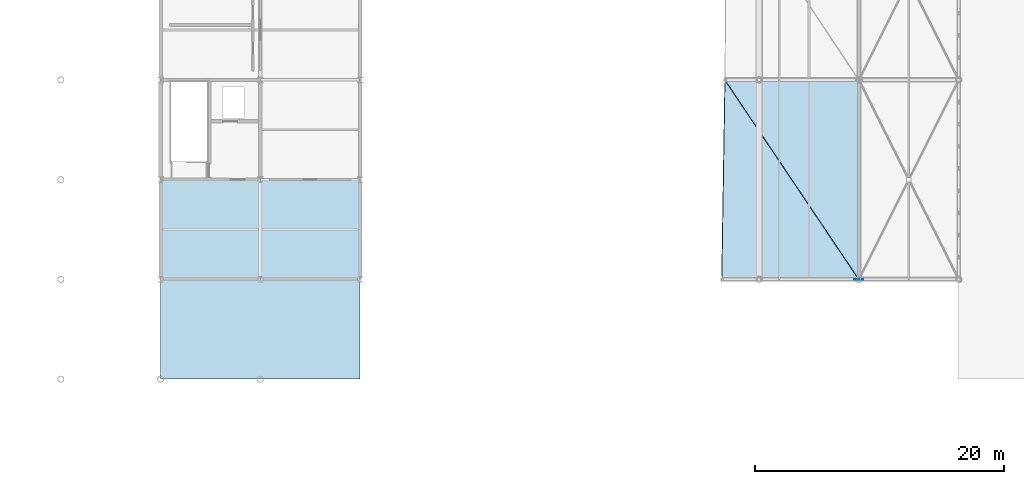
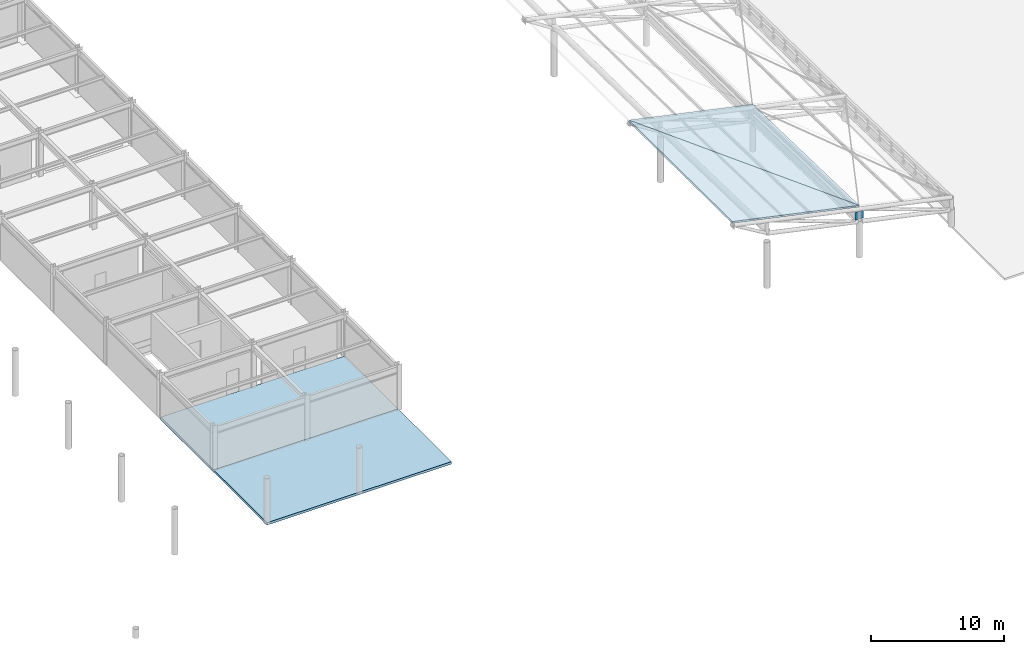
# One storey, part 34 of 54: 4 slabs, 1 plate.
"""IFC4 building model written with IfcOpenShell, lengths in metres."""

from ifc_helpers import new_model, si_unit, direction, frame, origin, origin_2d, place, context, subcontext, project, spatial, polyline, rectangle, outline, extrude, material, layer, layer_set, type_object, element, save


model = new_model("IFC4")

# Units and contexts
model_context = context("Model", 3, precision=1e-05, world=origin(), true_north=direction((0.0, 1.0)))
body_context = subcontext(model_context, "Body", "Model", "MODEL_VIEW")
ifc_project = project(units=[si_unit("LENGTHUNIT", "METRE"), si_unit("AREAUNIT", "SQUARE_METRE"), si_unit("VOLUMEUNIT", "CUBIC_METRE"), si_unit("PLANEANGLEUNIT", "RADIAN"), si_unit("MASSUNIT", "GRAM", prefix="KILO")], contexts=[model_context])

# Site, building, storey
site_placement = place(None, origin())
site = spatial("IfcSite", under=ifc_project, at=site_placement, CompositionType="ELEMENT")
building_placement = place(site_placement, origin())
building = spatial("IfcBuilding", under=site, at=building_placement, Name="Haebicheon Civic Stadium", CompositionType="ELEMENT")
storey_placement = place(building_placement, frame((0.0, 0.0, 22.800048828125)))
storey = spatial("IfcBuildingStorey", under=building, at=storey_placement, Name="L06", CompositionType="ELEMENT", Elevation=22.800048828125)

# Plate
ifc_material_1 = material(Name="White painted steel SM490", Category="steel")
ifc_layer_1 = layer(ifc_material_1, 0.031982421875, Name="White painted steel SM490")
ifc_layer_set_1 = layer_set([ifc_layer_1], Name="White painted steel SM490")
plate_type = type_object("IfcPlateType", Name="PLT-GUS-32", PredefinedType="USERDEFINED", material=ifc_layer_set_1)
plate_placement = place(storey_placement, frame((200.0, 56.0, 3.39697265625), z_axis=(0.0, 0.0, 1.0), x_axis=(1.0, 0.0, 0.0)))
element("IfcPlate", 1, at=plate_placement, inside=storey, type_object=plate_type, material=ifc_layer_set_1, Name="CAN-COMM heel node gusset plate KN-M01", ObjectType="GUSSET PLATE", PredefinedType="USERDEFINED", context=body_context, shape_type="SweptSolid", body=[
    extrude(rectangle(XDim=0.719970703125, YDim=0.031982421875, at=origin_2d()), origin(), (0.0, 0.0, 1.0), 0.719970703125),
])

# Slabs
ifc_material_2 = material(Name="White painted steel SM490", Category="steel")
ifc_layer_2 = layer(ifc_material_2, 0.159912109375, Name="White painted steel SM490")
ifc_layer_set_2 = layer_set([ifc_layer_2], Name="White painted steel SM490")
slab_type_1 = type_object("IfcSlabType", Name="SLB-CAN-160", PredefinedType="ROOF", material=ifc_layer_set_2)
slab_1_placement = place(storey_placement, frame((200.0, 56.0, 4.659912109375), z_axis=(0.21012603826, 0.025776508997, 0.977334446149), x_axis=(-0.977659292425, 0.0, 0.210195879921)))
element("IfcSlab", 2, at=slab_1_placement, inside=storey, type_object=slab_type_1, material=ifc_layer_set_2, Name="CAN-COMM curled canopy facet 1.CT-A", PredefinedType="ROOF", context=body_context, shape_type="SweptSolid", body=[
    extrude(outline(polyline([(0.0, 0.0), (11.251363419990003, -6.938893903907228e-18), (10.900707329384787, -16.005318077586843), (0.0, 0.0)])), origin(), (0.0, 0.0, -1.0), 0.159912109375),
])
slab_2_placement = place(storey_placement, frame((200.0, 56.0, 4.659912109375), z_axis=(0.210116185049, 0.025769621237, 0.977336746164), x_axis=(-0.554815663686, 0.826241264692, 0.097493342588)))
element("IfcSlab", 3, at=slab_2_placement, inside=storey, type_object=slab_type_1, material=ifc_layer_set_2, Name="CAN-COMM curled canopy facet 1.CT-B", PredefinedType="ROOF", context=body_context, shape_type="SweptSolid", body=[
    extrude(outline(polyline([(0.0, 0.0), (19.364803821511632, 8.881784197001252e-16), (13.17873023116903, -9.082898656799845), (0.0, 0.0)])), origin(), (0.0, 0.0, -1.0), 0.159912109375),
])
ifc_material_3 = material(Name="Concrete C35/45", Category="concrete")
ifc_layer_3 = layer(ifc_material_3, 0.25, Name="Concrete C35/45")
ifc_layer_set_3 = layer_set([ifc_layer_3], Name="Concrete C35/45")
slab_type_2 = type_object("IfcSlabType", Name="SLB-FLR-250", PredefinedType="FLOOR", material=ifc_layer_set_3)
slab_3_placement = place(storey_placement, frame((0.0, 0.0, -0.25)))
element("IfcSlab", 4, at=slab_3_placement, inside=storey, type_object=slab_type_2, material=ifc_layer_set_3, Name="L06 V2 structural slab 1.1", PredefinedType="FLOOR", context=body_context, shape_type="SweptSolid", body=[
    extrude(outline(polyline([(144.0, 56.0), (144.0, 64.0), (152.0, 64.0), (160.0, 64.0), (160.0, 56.0), (152.0, 56.0), (144.0, 56.0)])), origin(), (0.0, 0.0, 1.0), 0.25),
])
ifc_material_4 = material(Name="Concrete C40/50", Category="concrete")
ifc_layer_4 = layer(ifc_material_4, 0.219970703125, Name="Concrete C40/50")
ifc_layer_set_4 = layer_set([ifc_layer_4], Name="Concrete C40/50")
slab_type_3 = type_object("IfcSlabType", Name="SLB-ROOF-220", PredefinedType="ROOF", material=ifc_layer_set_4)
slab_4_placement = place(storey_placement, frame((0.0, 0.0, -0.219970703125)))
element("IfcSlab", 5, at=slab_4_placement, inside=storey, type_object=slab_type_3, material=ifc_layer_set_4, Name="L06 V2 roof deck slab 2", PredefinedType="ROOF", context=body_context, shape_type="SweptSolid", body=[
    extrude(outline(polyline([(160.0, 48.0), (144.0, 48.0), (144.0, 56.0), (160.0, 56.0), (160.0, 48.0)])), origin(), (0.0, 0.0, 1.0), 0.219970703125),
])

save(model, "model.ifc")
